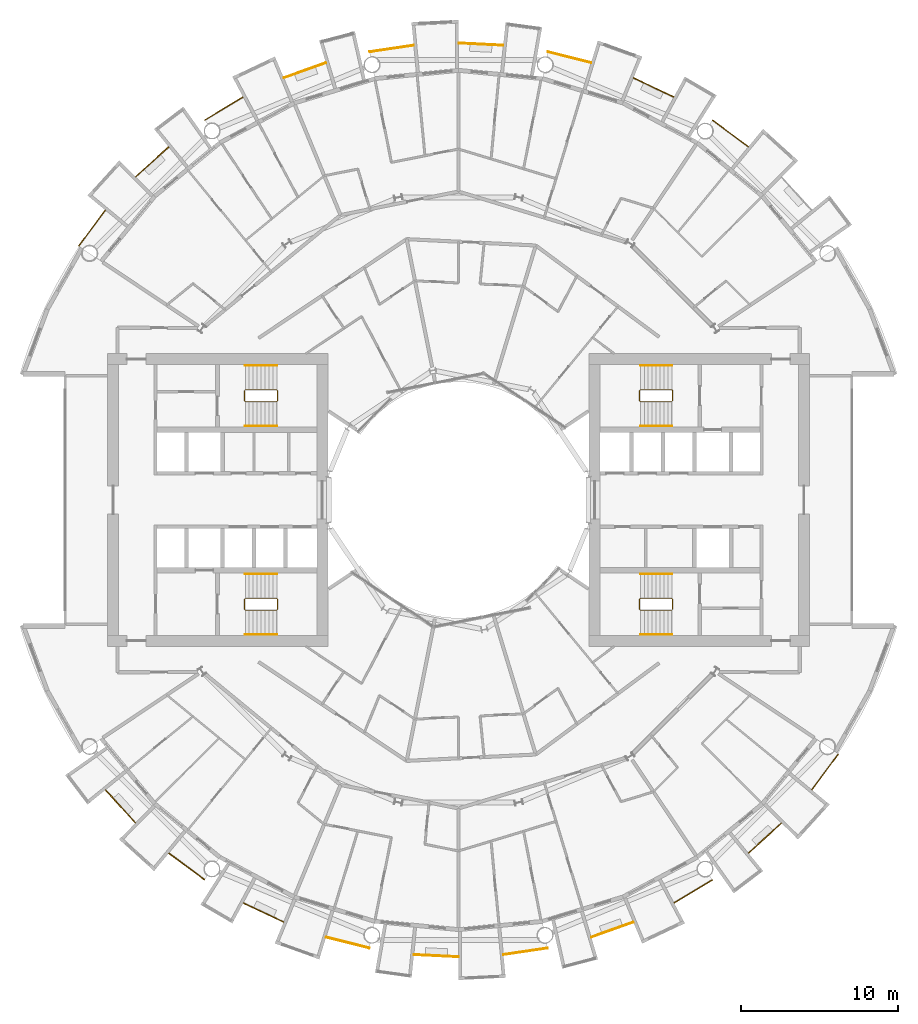
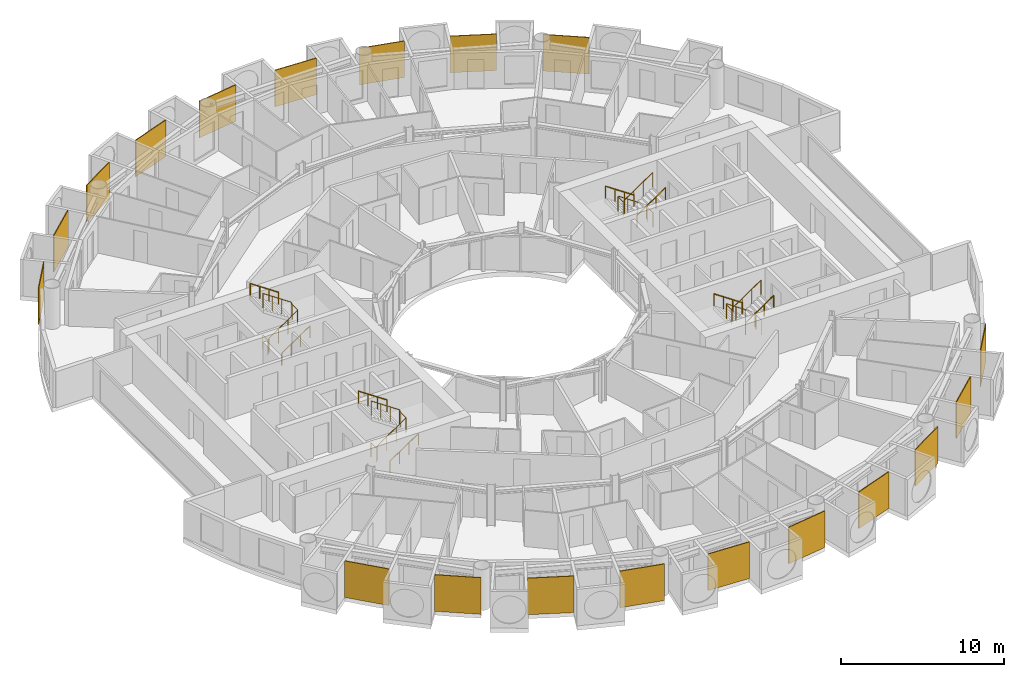
# One storey, part 25 of 26: 31 railings.
"""IFC4 building model written with IfcOpenShell, lengths in metres."""

from ifc_helpers import new_model, si_unit, direction, frame, origin, origin_2d, place, context, subcontext, project, spatial, polyline, circle, outline, extrude, material, layer, layer_set, type_object, element, save


model = new_model("IFC4")

# Units and contexts
model_context = context("Model", 3, precision=1e-05, world=origin(), true_north=direction((0.0, 1.0)))
body_context = subcontext(model_context, "Body", "Model", "MODEL_VIEW")
ifc_project = project(units=[si_unit("LENGTHUNIT", "METRE"), si_unit("AREAUNIT", "SQUARE_METRE"), si_unit("VOLUMEUNIT", "CUBIC_METRE"), si_unit("PLANEANGLEUNIT", "RADIAN"), si_unit("MASSUNIT", "GRAM", prefix="KILO")], contexts=[model_context])

# Site, building, storey
site_placement = place(None, origin())
site = spatial("IfcSite", under=ifc_project, at=site_placement, CompositionType="ELEMENT")
building_placement = place(site_placement, origin())
building = spatial("IfcBuilding", under=site, at=building_placement, Name="Maasbend Ring Residences", CompositionType="ELEMENT")
storey_placement = place(building_placement, frame((0.0, 0.0, 91.050048828125)))
storey = spatial("IfcBuildingStorey", under=building, at=storey_placement, Name="L26", CompositionType="ELEMENT", Elevation=91.050048828125)

# Railings
ifc_material_1 = material(Name="Pale anodised perforated aluminium", Category="aluminium")
ifc_layer = layer(ifc_material_1, 0.06005859375)
ifc_layer_set = layer_set([ifc_layer], Name="SCREEN-P")
railing_type_1 = type_object("IfcRailingType", Name="SCREEN-P", PredefinedType="GUARDRAIL", material=ifc_layer_set)
railing_1_placement = place(storey_placement, frame((0.0, 0.0, -0.030029296875)))
element("IfcRailing", 1, at=railing_1_placement, inside=storey, type_object=railing_type_1, Name="Perforated screen guard 2", PredefinedType="GUARDRAIL", context=body_context, shape_type="SweptSolid", body=[
    extrude(outline(polyline([(18.39697265625, 22.4169921875), (16.112060546875, 24.113037109375), (16.14697265625, 24.160888671875), (18.43310546875, 22.465087890625), (18.39697265625, 22.4169921875)])), origin(), (0.0, 0.0, 1.0), 2.72998046875),
])
railing_2_placement = place(storey_placement, frame((0.0, 0.0, -0.030029296875)))
element("IfcRailing", 2, at=railing_2_placement, inside=storey, type_object=railing_type_1, Name="Perforated screen guard 3", PredefinedType="GUARDRAIL", context=body_context, shape_type="SweptSolid", body=[
    extrude(outline(polyline([(13.6708984375, 25.575927734375), (11.097900390625, 26.79296875), (11.123046875, 26.846923828125), (13.696044921875, 25.6298828125), (13.6708984375, 25.575927734375)])), origin(), (0.0, 0.0, 1.0), 2.72998046875),
])
railing_3_placement = place(storey_placement, frame((0.0, 0.0, -0.030029296875)))
element("IfcRailing", 3, at=railing_3_placement, inside=storey, type_object=railing_type_1, Name="Perforated screen guard 4", PredefinedType="GUARDRAIL", context=body_context, shape_type="SweptSolid", body=[
    extrude(outline(polyline([(8.41796875, 27.7509765625), (5.657958984375, 28.443115234375), (5.672119140625, 28.5009765625), (8.43310546875, 27.80908203125), (8.41796875, 27.7509765625)])), origin(), (0.0, 0.0, 1.0), 2.72998046875),
])
railing_4_placement = place(storey_placement, frame((0.0, 0.0, -0.030029296875)))
element("IfcRailing", 4, at=railing_4_placement, inside=storey, type_object=railing_type_1, Name="Perforated screen guard 5", PredefinedType="GUARDRAIL", context=body_context, shape_type="SweptSolid", body=[
    extrude(outline(polyline([(2.842041015625, 28.860107421875), (0.0, 29.0), (0.0029296875, 29.06005859375), (2.844970703125, 28.919921875), (2.842041015625, 28.860107421875)])), origin(), (0.0, 0.0, 1.0), 2.72998046875),
])
railing_5_placement = place(storey_placement, frame((0.0, 0.0, -0.030029296875)))
element("IfcRailing", 5, at=railing_5_placement, inside=storey, type_object=railing_type_1, Name="Perforated screen guard 6", PredefinedType="GUARDRAIL", context=body_context, shape_type="SweptSolid", body=[
    extrude(outline(polyline([(-2.842041015625, 28.860107421875), (-5.657958984375, 28.443115234375), (-5.666015625, 28.501953125), (-2.85107421875, 28.919921875), (-2.842041015625, 28.860107421875)])), origin(), (0.0, 0.0, 1.0), 2.72998046875),
])
railing_6_placement = place(storey_placement, frame((0.0, 0.0, -0.030029296875)))
element("IfcRailing", 6, at=railing_6_placement, inside=storey, type_object=railing_type_1, Name="Perforated screen guard 7", PredefinedType="GUARDRAIL", context=body_context, shape_type="SweptSolid", body=[
    extrude(outline(polyline([(-8.41796875, 27.7509765625), (-11.097900390625, 26.79296875), (-11.117919921875, 26.84912109375), (-8.43798828125, 27.80810546875), (-8.41796875, 27.7509765625)])), origin(), (0.0, 0.0, 1.0), 2.72998046875),
])
railing_7_placement = place(storey_placement, frame((0.0, 0.0, -0.030029296875)))
element("IfcRailing", 7, at=railing_7_placement, inside=storey, type_object=railing_type_1, Name="Perforated screen guard 8", PredefinedType="GUARDRAIL", context=body_context, shape_type="SweptSolid", body=[
    extrude(outline(polyline([(-13.6708984375, 25.575927734375), (-16.112060546875, 24.113037109375), (-16.14208984375, 24.1640625), (-13.700927734375, 25.626953125), (-13.6708984375, 25.575927734375)])), origin(), (0.0, 0.0, 1.0), 2.72998046875),
])
railing_8_placement = place(storey_placement, frame((0.0, 0.0, -0.030029296875)))
element("IfcRailing", 8, at=railing_8_placement, inside=storey, type_object=railing_type_1, Name="Perforated screen guard 9", PredefinedType="GUARDRAIL", context=body_context, shape_type="SweptSolid", body=[
    extrude(outline(polyline([(-18.39697265625, 22.4169921875), (-20.506103515625, 20.506103515625), (-20.5458984375, 20.551025390625), (-18.43798828125, 22.4619140625), (-18.39697265625, 22.4169921875)])), origin(), (0.0, 0.0, 1.0), 2.72998046875),
])
railing_9_placement = place(storey_placement, frame((0.0, 0.0, -0.030029296875)))
element("IfcRailing", 9, at=railing_9_placement, inside=storey, type_object=railing_type_1, Name="Perforated screen guard 10", PredefinedType="GUARDRAIL", context=body_context, shape_type="SweptSolid", body=[
    extrude(outline(polyline([(-22.4169921875, 18.39697265625), (-24.113037109375, 16.112060546875), (-24.160888671875, 16.14697265625), (-22.465087890625, 18.43310546875), (-22.4169921875, 18.39697265625)])), origin(), (0.0, 0.0, 1.0), 2.72998046875),
])
railing_10_placement = place(storey_placement, frame((0.0, 0.0, -0.030029296875)))
element("IfcRailing", 10, at=railing_10_placement, inside=storey, type_object=railing_type_1, Name="Perforated screen guard 1", PredefinedType="GUARDRAIL", context=body_context, shape_type="SweptSolid", body=[
    extrude(outline(polyline([(-22.4169921875, -18.39697265625), (-20.506103515625, -20.506103515625), (-20.551025390625, -20.5458984375), (-22.4619140625, -18.43798828125), (-22.4169921875, -18.39697265625)])), origin(), (0.0, 0.0, 1.0), 2.72998046875),
])
railing_11_placement = place(storey_placement, frame((0.0, 0.0, -0.030029296875)))
element("IfcRailing", 11, at=railing_11_placement, inside=storey, type_object=railing_type_1, Name="Perforated screen guard 2", PredefinedType="GUARDRAIL", context=body_context, shape_type="SweptSolid", body=[
    extrude(outline(polyline([(-18.39697265625, -22.4169921875), (-16.112060546875, -24.113037109375), (-16.14697265625, -24.160888671875), (-18.43310546875, -22.465087890625), (-18.39697265625, -22.4169921875)])), origin(), (0.0, 0.0, 1.0), 2.72998046875),
])
railing_12_placement = place(storey_placement, frame((0.0, 0.0, -0.030029296875)))
element("IfcRailing", 12, at=railing_12_placement, inside=storey, type_object=railing_type_1, Name="Perforated screen guard 3", PredefinedType="GUARDRAIL", context=body_context, shape_type="SweptSolid", body=[
    extrude(outline(polyline([(-13.6708984375, -25.575927734375), (-11.097900390625, -26.79296875), (-11.123046875, -26.846923828125), (-13.696044921875, -25.6298828125), (-13.6708984375, -25.575927734375)])), origin(), (0.0, 0.0, 1.0), 2.72998046875),
])
railing_13_placement = place(storey_placement, frame((0.0, 0.0, -0.030029296875)))
element("IfcRailing", 13, at=railing_13_placement, inside=storey, type_object=railing_type_1, Name="Perforated screen guard 4", PredefinedType="GUARDRAIL", context=body_context, shape_type="SweptSolid", body=[
    extrude(outline(polyline([(-8.41796875, -27.7509765625), (-5.657958984375, -28.443115234375), (-5.672119140625, -28.5009765625), (-8.43310546875, -27.80908203125), (-8.41796875, -27.7509765625)])), origin(), (0.0, 0.0, 1.0), 2.72998046875),
])
railing_14_placement = place(storey_placement, frame((0.0, 0.0, -0.030029296875)))
element("IfcRailing", 14, at=railing_14_placement, inside=storey, type_object=railing_type_1, Name="Perforated screen guard 5", PredefinedType="GUARDRAIL", context=body_context, shape_type="SweptSolid", body=[
    extrude(outline(polyline([(-2.842041015625, -28.860107421875), (0.0, -29.0), (-0.0029296875, -29.06005859375), (-2.844970703125, -28.919921875), (-2.842041015625, -28.860107421875)])), origin(), (0.0, 0.0, 1.0), 2.72998046875),
])
railing_15_placement = place(storey_placement, frame((0.0, 0.0, -0.030029296875)))
element("IfcRailing", 15, at=railing_15_placement, inside=storey, type_object=railing_type_1, Name="Perforated screen guard 6", PredefinedType="GUARDRAIL", context=body_context, shape_type="SweptSolid", body=[
    extrude(outline(polyline([(2.842041015625, -28.860107421875), (5.657958984375, -28.443115234375), (5.666015625, -28.501953125), (2.85107421875, -28.919921875), (2.842041015625, -28.860107421875)])), origin(), (0.0, 0.0, 1.0), 2.72998046875),
])
railing_16_placement = place(storey_placement, frame((0.0, 0.0, -0.030029296875)))
element("IfcRailing", 16, at=railing_16_placement, inside=storey, type_object=railing_type_1, Name="Perforated screen guard 7", PredefinedType="GUARDRAIL", context=body_context, shape_type="SweptSolid", body=[
    extrude(outline(polyline([(8.41796875, -27.7509765625), (11.097900390625, -26.79296875), (11.117919921875, -26.84912109375), (8.43798828125, -27.80810546875), (8.41796875, -27.7509765625)])), origin(), (0.0, 0.0, 1.0), 2.72998046875),
])
railing_17_placement = place(storey_placement, frame((0.0, 0.0, -0.030029296875)))
element("IfcRailing", 17, at=railing_17_placement, inside=storey, type_object=railing_type_1, Name="Perforated screen guard 8", PredefinedType="GUARDRAIL", context=body_context, shape_type="SweptSolid", body=[
    extrude(outline(polyline([(13.6708984375, -25.575927734375), (16.112060546875, -24.113037109375), (16.14208984375, -24.1640625), (13.700927734375, -25.626953125), (13.6708984375, -25.575927734375)])), origin(), (0.0, 0.0, 1.0), 2.72998046875),
])
railing_18_placement = place(storey_placement, frame((0.0, 0.0, -0.030029296875)))
element("IfcRailing", 18, at=railing_18_placement, inside=storey, type_object=railing_type_1, Name="Perforated screen guard 9", PredefinedType="GUARDRAIL", context=body_context, shape_type="SweptSolid", body=[
    extrude(outline(polyline([(18.39697265625, -22.4169921875), (20.506103515625, -20.506103515625), (20.5458984375, -20.551025390625), (18.43798828125, -22.4619140625), (18.39697265625, -22.4169921875)])), origin(), (0.0, 0.0, 1.0), 2.72998046875),
])
railing_19_placement = place(storey_placement, frame((0.0, 0.0, -0.030029296875)))
element("IfcRailing", 19, at=railing_19_placement, inside=storey, type_object=railing_type_1, Name="Perforated screen guard 10", PredefinedType="GUARDRAIL", context=body_context, shape_type="SweptSolid", body=[
    extrude(outline(polyline([(22.4169921875, -18.39697265625), (24.113037109375, -16.112060546875), (24.160888671875, -16.14697265625), (22.465087890625, -18.43310546875), (22.4169921875, -18.39697265625)])), origin(), (0.0, 0.0, 1.0), 2.72998046875),
])
ifc_material_2 = material(Name="Stainless steel 316", Category="steel")
railing_type_2 = type_object("IfcRailingType", Name="STAIR GUARD 1100", PredefinedType="GUARDRAIL", material=ifc_material_2)
railing_20_placement = place(storey_placement, frame((13.60009765625, 6.300048828125, 0.0)))
element("IfcRailing", 20, at=railing_20_placement, inside=storey, type_object=railing_type_2, Name="L26 ST-E1 stair guard 1", PredefinedType="GUARDRAIL", context=body_context, shape_type="SweptSolid", body=[
    extrude(circle(Radius=0.02392578125, at=origin_2d()), frame((0.0, 0.0, 1.076171875), z_axis=(0.0, 1.0, 0.0), x_axis=(-1.0, 0.0, 0.0)), (0.0, 0.0, 1.0), 0.64990234375),
    extrude(circle(Radius=0.02392578125, at=origin_2d()), frame((0.0, 0.64990234375, 1.076171875), z_axis=(-0.272562526181, 0.272562526181, 0.92272386912), x_axis=(-0.707106781187, -0.707106781187, 0.0)), (0.0, 0.0, 1.0), 0.18359375),
    extrude(circle(Radius=0.02392578125, at=origin_2d()), frame((-0.050048828125, 0.699951171875, 1.24560546875), z_axis=(-0.827797584762, 0.0, 0.561026878735), x_axis=(0.0, -1.0, 0.0)), (0.0, 0.0, 1.0), 2.416015625),
    extrude(circle(Radius=0.02392578125, at=origin_2d()), frame((-2.050048828125, 0.699951171875, 2.60107421875), z_axis=(-0.707106781187, -0.707106781187, 0.0), x_axis=(0.707106781187, -0.707106781187, 0.0)), (0.0, 0.0, 1.0), 0.07080078125),
    extrude(circle(Radius=0.02392578125, at=origin_2d()), frame((-2.10009765625, 0.64990234375, 2.60107421875), z_axis=(0.0, -1.0, 0.0), x_axis=(1.0, 0.0, 0.0)), (0.0, 0.0, 1.0), 0.64990234375),
    extrude(circle(Radius=0.02392578125, at=origin_2d()), frame((-2.10009765625, 0.0, 2.60107421875), z_axis=(0.272562526181, -0.272562526181, 0.92272386912), x_axis=(0.707106781187, 0.707106781187, 0.0)), (0.0, 0.0, 1.0), 0.18359375),
    extrude(circle(Radius=0.02392578125, at=origin_2d()), frame((-2.050048828125, -0.050048828125, 2.7705078125), z_axis=(0.827750655447, 0.0, 0.561096116906), x_axis=(0.0, 1.0, 0.0)), (0.0, 0.0, 1.0), 2.416259765625),
    extrude(circle(Radius=0.02099609375, at=origin_2d()), origin(), (0.0, 0.0, 1.0), 1.052001953125),
    extrude(circle(Radius=0.02099609375, at=origin_2d()), frame((0.0, 0.64990234375, 0.0)), (0.0, 0.0, 1.0), 1.052001953125),
    extrude(circle(Radius=0.02099609375, at=origin_2d()), frame((-0.050048828125, 0.699951171875, 0.16943359375)), (0.0, 0.0, 1.0), 1.052001953125),
    extrude(circle(Radius=0.02099609375, at=origin_2d()), frame((-0.716796875, 0.699951171875, 0.621337890625)), (0.0, 0.0, 1.0), 1.052001953125),
    extrude(circle(Radius=0.02099609375, at=origin_2d()), frame((-1.38330078125, 0.699951171875, 1.072998046875)), (0.0, 0.0, 1.0), 1.052001953125),
    extrude(circle(Radius=0.02099609375, at=origin_2d()), frame((-2.050048828125, 0.699951171875, 1.52490234375)), (0.0, 0.0, 1.0), 1.052001953125),
    extrude(circle(Radius=0.02099609375, at=origin_2d()), frame((-2.10009765625, 0.64990234375, 1.52490234375)), (0.0, 0.0, 1.0), 1.052001953125),
    extrude(circle(Radius=0.02099609375, at=origin_2d()), frame((-2.10009765625, 0.0, 1.52490234375)), (0.0, 0.0, 1.0), 1.052001953125),
    extrude(circle(Radius=0.02099609375, at=origin_2d()), frame((-2.050048828125, -0.050048828125, 1.6943359375)), (0.0, 0.0, 1.0), 1.052001953125),
    extrude(circle(Radius=0.02099609375, at=origin_2d()), frame((-1.38330078125, -0.050048828125, 2.146240234375)), (0.0, 0.0, 1.0), 1.052001953125),
    extrude(circle(Radius=0.02099609375, at=origin_2d()), frame((-0.716796875, -0.050048828125, 2.59814453125)), (0.0, 0.0, 1.0), 1.052001953125),
    extrude(circle(Radius=0.02099609375, at=origin_2d()), frame((-0.050048828125, -0.050048828125, 3.050048828125)), (0.0, 0.0, 1.0), 1.052001953125),
])
railing_21_placement = place(storey_placement, frame((13.60009765625, -6.949951171875, 0.0)))
element("IfcRailing", 21, at=railing_21_placement, inside=storey, type_object=railing_type_2, Name="L26 ST-E2 stair guard 1", PredefinedType="GUARDRAIL", context=body_context, shape_type="SweptSolid", body=[
    extrude(circle(Radius=0.02392578125, at=origin_2d()), frame((0.0, 0.0, 1.076171875), z_axis=(0.0, 1.0, 0.0), x_axis=(-1.0, 0.0, 0.0)), (0.0, 0.0, 1.0), 0.64990234375),
    extrude(circle(Radius=0.02392578125, at=origin_2d()), frame((0.0, 0.64990234375, 1.076171875), z_axis=(-0.272562526181, 0.272562526181, 0.92272386912), x_axis=(-0.707106781187, -0.707106781187, 0.0)), (0.0, 0.0, 1.0), 0.18359375),
    extrude(circle(Radius=0.02392578125, at=origin_2d()), frame((-0.050048828125, 0.699951171875, 1.24560546875), z_axis=(-0.827797584762, 0.0, 0.561026878735), x_axis=(0.0, -1.0, 0.0)), (0.0, 0.0, 1.0), 2.416015625),
    extrude(circle(Radius=0.02392578125, at=origin_2d()), frame((-2.050048828125, 0.699951171875, 2.60107421875), z_axis=(-0.707106781187, -0.707106781187, 0.0), x_axis=(0.707106781187, -0.707106781187, 0.0)), (0.0, 0.0, 1.0), 0.07080078125),
    extrude(circle(Radius=0.02392578125, at=origin_2d()), frame((-2.10009765625, 0.64990234375, 2.60107421875), z_axis=(0.0, -1.0, 0.0), x_axis=(1.0, 0.0, 0.0)), (0.0, 0.0, 1.0), 0.64990234375),
    extrude(circle(Radius=0.02392578125, at=origin_2d()), frame((-2.10009765625, 0.0, 2.60107421875), z_axis=(0.272562526181, -0.272562526181, 0.92272386912), x_axis=(0.707106781187, 0.707106781187, 0.0)), (0.0, 0.0, 1.0), 0.18359375),
    extrude(circle(Radius=0.02392578125, at=origin_2d()), frame((-2.050048828125, -0.050048828125, 2.7705078125), z_axis=(0.827750655447, 0.0, 0.561096116906), x_axis=(0.0, 1.0, 0.0)), (0.0, 0.0, 1.0), 2.416259765625),
    extrude(circle(Radius=0.02099609375, at=origin_2d()), origin(), (0.0, 0.0, 1.0), 1.052001953125),
    extrude(circle(Radius=0.02099609375, at=origin_2d()), frame((0.0, 0.64990234375, 0.0)), (0.0, 0.0, 1.0), 1.052001953125),
    extrude(circle(Radius=0.02099609375, at=origin_2d()), frame((-0.050048828125, 0.699951171875, 0.16943359375)), (0.0, 0.0, 1.0), 1.052001953125),
    extrude(circle(Radius=0.02099609375, at=origin_2d()), frame((-0.716796875, 0.699951171875, 0.621337890625)), (0.0, 0.0, 1.0), 1.052001953125),
    extrude(circle(Radius=0.02099609375, at=origin_2d()), frame((-1.38330078125, 0.699951171875, 1.072998046875)), (0.0, 0.0, 1.0), 1.052001953125),
    extrude(circle(Radius=0.02099609375, at=origin_2d()), frame((-2.050048828125, 0.699951171875, 1.52490234375)), (0.0, 0.0, 1.0), 1.052001953125),
    extrude(circle(Radius=0.02099609375, at=origin_2d()), frame((-2.10009765625, 0.64990234375, 1.52490234375)), (0.0, 0.0, 1.0), 1.052001953125),
    extrude(circle(Radius=0.02099609375, at=origin_2d()), frame((-2.10009765625, 0.0, 1.52490234375)), (0.0, 0.0, 1.0), 1.052001953125),
    extrude(circle(Radius=0.02099609375, at=origin_2d()), frame((-2.050048828125, -0.050048828125, 1.6943359375)), (0.0, 0.0, 1.0), 1.052001953125),
    extrude(circle(Radius=0.02099609375, at=origin_2d()), frame((-1.38330078125, -0.050048828125, 2.146240234375)), (0.0, 0.0, 1.0), 1.052001953125),
    extrude(circle(Radius=0.02099609375, at=origin_2d()), frame((-0.716796875, -0.050048828125, 2.59814453125)), (0.0, 0.0, 1.0), 1.052001953125),
    extrude(circle(Radius=0.02099609375, at=origin_2d()), frame((-0.050048828125, -0.050048828125, 3.050048828125)), (0.0, 0.0, 1.0), 1.052001953125),
])
railing_22_placement = place(storey_placement, frame((-13.60009765625, -6.300048828125, 0.0)))
element("IfcRailing", 22, at=railing_22_placement, inside=storey, type_object=railing_type_2, Name="L26 ST-W1 stair guard 1", PredefinedType="GUARDRAIL", context=body_context, shape_type="SweptSolid", body=[
    extrude(circle(Radius=0.02392578125, at=origin_2d()), frame((0.0, 0.0, 1.076171875), z_axis=(0.0, -1.0, 0.0), x_axis=(1.0, 0.0, 0.0)), (0.0, 0.0, 1.0), 0.64990234375),
    extrude(circle(Radius=0.02392578125, at=origin_2d()), frame((0.0, -0.64990234375, 1.076171875), z_axis=(0.272562526181, -0.272562526181, 0.92272386912), x_axis=(0.707106781187, 0.707106781187, 0.0)), (0.0, 0.0, 1.0), 0.18359375),
    extrude(circle(Radius=0.02392578125, at=origin_2d()), frame((0.050048828125, -0.699951171875, 1.24560546875), z_axis=(0.827797584762, 0.0, 0.561026878735), x_axis=(0.0, 1.0, 0.0)), (0.0, 0.0, 1.0), 2.416015625),
    extrude(circle(Radius=0.02392578125, at=origin_2d()), frame((2.050048828125, -0.699951171875, 2.60107421875), z_axis=(0.707106781187, 0.707106781187, 0.0), x_axis=(-0.707106781187, 0.707106781187, 0.0)), (0.0, 0.0, 1.0), 0.07080078125),
    extrude(circle(Radius=0.02392578125, at=origin_2d()), frame((2.10009765625, -0.64990234375, 2.60107421875), z_axis=(0.0, 1.0, 0.0), x_axis=(-1.0, 0.0, 0.0)), (0.0, 0.0, 1.0), 0.64990234375),
    extrude(circle(Radius=0.02392578125, at=origin_2d()), frame((2.10009765625, 0.0, 2.60107421875), z_axis=(-0.272562526181, 0.272562526181, 0.92272386912), x_axis=(-0.707106781187, -0.707106781187, 0.0)), (0.0, 0.0, 1.0), 0.18359375),
    extrude(circle(Radius=0.02392578125, at=origin_2d()), frame((2.050048828125, 0.050048828125, 2.7705078125), z_axis=(-0.827750655447, 0.0, 0.561096116906), x_axis=(0.0, -1.0, 0.0)), (0.0, 0.0, 1.0), 2.416259765625),
    extrude(circle(Radius=0.02099609375, at=origin_2d()), origin(), (0.0, 0.0, 1.0), 1.052001953125),
    extrude(circle(Radius=0.02099609375, at=origin_2d()), frame((0.0, -0.64990234375, 0.0)), (0.0, 0.0, 1.0), 1.052001953125),
    extrude(circle(Radius=0.02099609375, at=origin_2d()), frame((0.050048828125, -0.699951171875, 0.16943359375)), (0.0, 0.0, 1.0), 1.052001953125),
    extrude(circle(Radius=0.02099609375, at=origin_2d()), frame((0.716796875, -0.699951171875, 0.621337890625)), (0.0, 0.0, 1.0), 1.052001953125),
    extrude(circle(Radius=0.02099609375, at=origin_2d()), frame((1.38330078125, -0.699951171875, 1.072998046875)), (0.0, 0.0, 1.0), 1.052001953125),
    extrude(circle(Radius=0.02099609375, at=origin_2d()), frame((2.050048828125, -0.699951171875, 1.52490234375)), (0.0, 0.0, 1.0), 1.052001953125),
    extrude(circle(Radius=0.02099609375, at=origin_2d()), frame((2.10009765625, -0.64990234375, 1.52490234375)), (0.0, 0.0, 1.0), 1.052001953125),
    extrude(circle(Radius=0.02099609375, at=origin_2d()), frame((2.10009765625, 0.0, 1.52490234375)), (0.0, 0.0, 1.0), 1.052001953125),
    extrude(circle(Radius=0.02099609375, at=origin_2d()), frame((2.050048828125, 0.050048828125, 1.6943359375)), (0.0, 0.0, 1.0), 1.052001953125),
    extrude(circle(Radius=0.02099609375, at=origin_2d()), frame((1.38330078125, 0.050048828125, 2.146240234375)), (0.0, 0.0, 1.0), 1.052001953125),
    extrude(circle(Radius=0.02099609375, at=origin_2d()), frame((0.716796875, 0.050048828125, 2.59814453125)), (0.0, 0.0, 1.0), 1.052001953125),
    extrude(circle(Radius=0.02099609375, at=origin_2d()), frame((0.050048828125, 0.050048828125, 3.050048828125)), (0.0, 0.0, 1.0), 1.052001953125),
])
railing_23_placement = place(storey_placement, frame((-13.60009765625, 6.949951171875, 0.0)))
element("IfcRailing", 23, at=railing_23_placement, inside=storey, type_object=railing_type_2, Name="L26 ST-W2 stair guard 1", PredefinedType="GUARDRAIL", context=body_context, shape_type="SweptSolid", body=[
    extrude(circle(Radius=0.02392578125, at=origin_2d()), frame((0.0, 0.0, 1.076171875), z_axis=(0.0, -1.0, 0.0), x_axis=(1.0, 0.0, 0.0)), (0.0, 0.0, 1.0), 0.64990234375),
    extrude(circle(Radius=0.02392578125, at=origin_2d()), frame((0.0, -0.64990234375, 1.076171875), z_axis=(0.272562526181, -0.272562526181, 0.92272386912), x_axis=(0.707106781187, 0.707106781187, 0.0)), (0.0, 0.0, 1.0), 0.18359375),
    extrude(circle(Radius=0.02392578125, at=origin_2d()), frame((0.050048828125, -0.699951171875, 1.24560546875), z_axis=(0.827797584762, 0.0, 0.561026878735), x_axis=(0.0, 1.0, 0.0)), (0.0, 0.0, 1.0), 2.416015625),
    extrude(circle(Radius=0.02392578125, at=origin_2d()), frame((2.050048828125, -0.699951171875, 2.60107421875), z_axis=(0.707106781187, 0.707106781187, 0.0), x_axis=(-0.707106781187, 0.707106781187, 0.0)), (0.0, 0.0, 1.0), 0.07080078125),
    extrude(circle(Radius=0.02392578125, at=origin_2d()), frame((2.10009765625, -0.64990234375, 2.60107421875), z_axis=(0.0, 1.0, 0.0), x_axis=(-1.0, 0.0, 0.0)), (0.0, 0.0, 1.0), 0.64990234375),
    extrude(circle(Radius=0.02392578125, at=origin_2d()), frame((2.10009765625, 0.0, 2.60107421875), z_axis=(-0.272562526181, 0.272562526181, 0.92272386912), x_axis=(-0.707106781187, -0.707106781187, 0.0)), (0.0, 0.0, 1.0), 0.18359375),
    extrude(circle(Radius=0.02392578125, at=origin_2d()), frame((2.050048828125, 0.050048828125, 2.7705078125), z_axis=(-0.827750655447, 0.0, 0.561096116906), x_axis=(0.0, -1.0, 0.0)), (0.0, 0.0, 1.0), 2.416259765625),
    extrude(circle(Radius=0.02099609375, at=origin_2d()), origin(), (0.0, 0.0, 1.0), 1.052001953125),
    extrude(circle(Radius=0.02099609375, at=origin_2d()), frame((0.0, -0.64990234375, 0.0)), (0.0, 0.0, 1.0), 1.052001953125),
    extrude(circle(Radius=0.02099609375, at=origin_2d()), frame((0.050048828125, -0.699951171875, 0.16943359375)), (0.0, 0.0, 1.0), 1.052001953125),
    extrude(circle(Radius=0.02099609375, at=origin_2d()), frame((0.716796875, -0.699951171875, 0.621337890625)), (0.0, 0.0, 1.0), 1.052001953125),
    extrude(circle(Radius=0.02099609375, at=origin_2d()), frame((1.38330078125, -0.699951171875, 1.072998046875)), (0.0, 0.0, 1.0), 1.052001953125),
    extrude(circle(Radius=0.02099609375, at=origin_2d()), frame((2.050048828125, -0.699951171875, 1.52490234375)), (0.0, 0.0, 1.0), 1.052001953125),
    extrude(circle(Radius=0.02099609375, at=origin_2d()), frame((2.10009765625, -0.64990234375, 1.52490234375)), (0.0, 0.0, 1.0), 1.052001953125),
    extrude(circle(Radius=0.02099609375, at=origin_2d()), frame((2.10009765625, 0.0, 1.52490234375)), (0.0, 0.0, 1.0), 1.052001953125),
    extrude(circle(Radius=0.02099609375, at=origin_2d()), frame((2.050048828125, 0.050048828125, 1.6943359375)), (0.0, 0.0, 1.0), 1.052001953125),
    extrude(circle(Radius=0.02099609375, at=origin_2d()), frame((1.38330078125, 0.050048828125, 2.146240234375)), (0.0, 0.0, 1.0), 1.052001953125),
    extrude(circle(Radius=0.02099609375, at=origin_2d()), frame((0.716796875, 0.050048828125, 2.59814453125)), (0.0, 0.0, 1.0), 1.052001953125),
    extrude(circle(Radius=0.02099609375, at=origin_2d()), frame((0.050048828125, 0.050048828125, 3.050048828125)), (0.0, 0.0, 1.0), 1.052001953125),
])
ifc_material_3 = material(Name="Stainless steel 316", Category="steel")
railing_type_3 = type_object("IfcRailingType", Name="STAIR HANDRAIL 900", PredefinedType="HANDRAIL", material=ifc_material_3)
railing_24_placement = place(storey_placement, frame((13.550048828125, 8.550048828125, 0.16943359375)))
element("IfcRailing", 24, at=railing_24_placement, inside=storey, type_object=railing_type_3, Name="L26 ST-E1 stair handrail 1", PredefinedType="HANDRAIL", context=body_context, shape_type="SweptSolid", body=[
    extrude(circle(Radius=0.02392578125, at=origin_2d()), frame((0.0, 0.0, 0.8759765625), z_axis=(-0.827797584762, 0.0, 0.561026878735), x_axis=(0.0, -1.0, 0.0)), (0.0, 0.0, 1.0), 2.416015625),
    extrude(circle(Radius=0.02099609375, at=origin_2d()), origin(), (0.0, 0.0, 1.0), 0.851806640625),
    extrude(circle(Radius=0.02099609375, at=origin_2d()), frame((-0.666748046875, 0.0, 0.451904296875)), (0.0, 0.0, 1.0), 0.851806640625),
    extrude(circle(Radius=0.02099609375, at=origin_2d()), frame((-1.333251953125, 0.0, 0.903564453125)), (0.0, 0.0, 1.0), 0.851806640625),
    extrude(circle(Radius=0.02099609375, at=origin_2d()), frame((-2.0, 0.0, 1.35546875)), (0.0, 0.0, 1.0), 0.851806640625),
])
railing_25_placement = place(storey_placement, frame((11.550048828125, 4.699951171875, 1.6943359375)))
element("IfcRailing", 25, at=railing_25_placement, inside=storey, type_object=railing_type_3, Name="L26 ST-E1 stair handrail 2", PredefinedType="HANDRAIL", context=body_context, shape_type="SweptSolid", body=[
    extrude(circle(Radius=0.02392578125, at=origin_2d()), frame((0.0, 0.0, 0.8759765625), z_axis=(0.827750655447, 0.0, 0.561096116906), x_axis=(0.0, 1.0, 0.0)), (0.0, 0.0, 1.0), 2.416259765625),
    extrude(circle(Radius=0.02099609375, at=origin_2d()), origin(), (0.0, 0.0, 1.0), 0.851806640625),
    extrude(circle(Radius=0.02099609375, at=origin_2d()), frame((0.666748046875, 0.0, 0.451904296875)), (0.0, 0.0, 1.0), 0.851806640625),
    extrude(circle(Radius=0.02099609375, at=origin_2d()), frame((1.333251953125, 0.0, 0.90380859375)), (0.0, 0.0, 1.0), 0.851806640625),
    extrude(circle(Radius=0.02099609375, at=origin_2d()), frame((2.0, 0.0, 1.355712890625)), (0.0, 0.0, 1.0), 0.851806640625),
])
railing_26_placement = place(storey_placement, frame((13.550048828125, -4.699951171875, 0.16943359375)))
element("IfcRailing", 26, at=railing_26_placement, inside=storey, type_object=railing_type_3, Name="L26 ST-E2 stair handrail 1", PredefinedType="HANDRAIL", context=body_context, shape_type="SweptSolid", body=[
    extrude(circle(Radius=0.02392578125, at=origin_2d()), frame((0.0, 0.0, 0.8759765625), z_axis=(-0.827797584762, 0.0, 0.561026878735), x_axis=(0.0, -1.0, 0.0)), (0.0, 0.0, 1.0), 2.416015625),
    extrude(circle(Radius=0.02099609375, at=origin_2d()), origin(), (0.0, 0.0, 1.0), 0.851806640625),
    extrude(circle(Radius=0.02099609375, at=origin_2d()), frame((-0.666748046875, 0.0, 0.451904296875)), (0.0, 0.0, 1.0), 0.851806640625),
    extrude(circle(Radius=0.02099609375, at=origin_2d()), frame((-1.333251953125, 0.0, 0.903564453125)), (0.0, 0.0, 1.0), 0.851806640625),
    extrude(circle(Radius=0.02099609375, at=origin_2d()), frame((-2.0, 0.0, 1.35546875)), (0.0, 0.0, 1.0), 0.851806640625),
])
railing_27_placement = place(storey_placement, frame((11.550048828125, -8.550048828125, 1.6943359375)))
element("IfcRailing", 27, at=railing_27_placement, inside=storey, type_object=railing_type_3, Name="L26 ST-E2 stair handrail 2", PredefinedType="HANDRAIL", context=body_context, shape_type="SweptSolid", body=[
    extrude(circle(Radius=0.02392578125, at=origin_2d()), frame((0.0, 0.0, 0.8759765625), z_axis=(0.827750655447, 0.0, 0.561096116906), x_axis=(0.0, 1.0, 0.0)), (0.0, 0.0, 1.0), 2.416259765625),
    extrude(circle(Radius=0.02099609375, at=origin_2d()), origin(), (0.0, 0.0, 1.0), 0.851806640625),
    extrude(circle(Radius=0.02099609375, at=origin_2d()), frame((0.666748046875, 0.0, 0.451904296875)), (0.0, 0.0, 1.0), 0.851806640625),
    extrude(circle(Radius=0.02099609375, at=origin_2d()), frame((1.333251953125, 0.0, 0.90380859375)), (0.0, 0.0, 1.0), 0.851806640625),
    extrude(circle(Radius=0.02099609375, at=origin_2d()), frame((2.0, 0.0, 1.355712890625)), (0.0, 0.0, 1.0), 0.851806640625),
])
railing_28_placement = place(storey_placement, frame((-13.550048828125, -8.550048828125, 0.16943359375)))
element("IfcRailing", 28, at=railing_28_placement, inside=storey, type_object=railing_type_3, Name="L26 ST-W1 stair handrail 1", PredefinedType="HANDRAIL", context=body_context, shape_type="SweptSolid", body=[
    extrude(circle(Radius=0.02392578125, at=origin_2d()), frame((0.0, 0.0, 0.8759765625), z_axis=(0.827797584762, 0.0, 0.561026878735), x_axis=(0.0, 1.0, 0.0)), (0.0, 0.0, 1.0), 2.416015625),
    extrude(circle(Radius=0.02099609375, at=origin_2d()), origin(), (0.0, 0.0, 1.0), 0.851806640625),
    extrude(circle(Radius=0.02099609375, at=origin_2d()), frame((0.666748046875, 0.0, 0.451904296875)), (0.0, 0.0, 1.0), 0.851806640625),
    extrude(circle(Radius=0.02099609375, at=origin_2d()), frame((1.333251953125, 0.0, 0.903564453125)), (0.0, 0.0, 1.0), 0.851806640625),
    extrude(circle(Radius=0.02099609375, at=origin_2d()), frame((2.0, 0.0, 1.35546875)), (0.0, 0.0, 1.0), 0.851806640625),
])
railing_29_placement = place(storey_placement, frame((-11.550048828125, -4.699951171875, 1.6943359375)))
element("IfcRailing", 29, at=railing_29_placement, inside=storey, type_object=railing_type_3, Name="L26 ST-W1 stair handrail 2", PredefinedType="HANDRAIL", context=body_context, shape_type="SweptSolid", body=[
    extrude(circle(Radius=0.02392578125, at=origin_2d()), frame((0.0, 0.0, 0.8759765625), z_axis=(-0.827750655447, 0.0, 0.561096116906), x_axis=(0.0, -1.0, 0.0)), (0.0, 0.0, 1.0), 2.416259765625),
    extrude(circle(Radius=0.02099609375, at=origin_2d()), origin(), (0.0, 0.0, 1.0), 0.851806640625),
    extrude(circle(Radius=0.02099609375, at=origin_2d()), frame((-0.666748046875, 0.0, 0.451904296875)), (0.0, 0.0, 1.0), 0.851806640625),
    extrude(circle(Radius=0.02099609375, at=origin_2d()), frame((-1.333251953125, 0.0, 0.90380859375)), (0.0, 0.0, 1.0), 0.851806640625),
    extrude(circle(Radius=0.02099609375, at=origin_2d()), frame((-2.0, 0.0, 1.355712890625)), (0.0, 0.0, 1.0), 0.851806640625),
])
railing_30_placement = place(storey_placement, frame((-13.550048828125, 4.699951171875, 0.16943359375)))
element("IfcRailing", 30, at=railing_30_placement, inside=storey, type_object=railing_type_3, Name="L26 ST-W2 stair handrail 1", PredefinedType="HANDRAIL", context=body_context, shape_type="SweptSolid", body=[
    extrude(circle(Radius=0.02392578125, at=origin_2d()), frame((0.0, 0.0, 0.8759765625), z_axis=(0.827797584762, 0.0, 0.561026878735), x_axis=(0.0, 1.0, 0.0)), (0.0, 0.0, 1.0), 2.416015625),
    extrude(circle(Radius=0.02099609375, at=origin_2d()), origin(), (0.0, 0.0, 1.0), 0.851806640625),
    extrude(circle(Radius=0.02099609375, at=origin_2d()), frame((0.666748046875, 0.0, 0.451904296875)), (0.0, 0.0, 1.0), 0.851806640625),
    extrude(circle(Radius=0.02099609375, at=origin_2d()), frame((1.333251953125, 0.0, 0.903564453125)), (0.0, 0.0, 1.0), 0.851806640625),
    extrude(circle(Radius=0.02099609375, at=origin_2d()), frame((2.0, 0.0, 1.35546875)), (0.0, 0.0, 1.0), 0.851806640625),
])
railing_31_placement = place(storey_placement, frame((-11.550048828125, 8.550048828125, 1.6943359375)))
element("IfcRailing", 31, at=railing_31_placement, inside=storey, type_object=railing_type_3, Name="L26 ST-W2 stair handrail 2", PredefinedType="HANDRAIL", context=body_context, shape_type="SweptSolid", body=[
    extrude(circle(Radius=0.02392578125, at=origin_2d()), frame((0.0, 0.0, 0.8759765625), z_axis=(-0.827750655447, 0.0, 0.561096116906), x_axis=(0.0, -1.0, 0.0)), (0.0, 0.0, 1.0), 2.416259765625),
    extrude(circle(Radius=0.02099609375, at=origin_2d()), origin(), (0.0, 0.0, 1.0), 0.851806640625),
    extrude(circle(Radius=0.02099609375, at=origin_2d()), frame((-0.666748046875, 0.0, 0.451904296875)), (0.0, 0.0, 1.0), 0.851806640625),
    extrude(circle(Radius=0.02099609375, at=origin_2d()), frame((-1.333251953125, 0.0, 0.90380859375)), (0.0, 0.0, 1.0), 0.851806640625),
    extrude(circle(Radius=0.02099609375, at=origin_2d()), frame((-2.0, 0.0, 1.355712890625)), (0.0, 0.0, 1.0), 0.851806640625),
])

save(model, "model.ifc")
